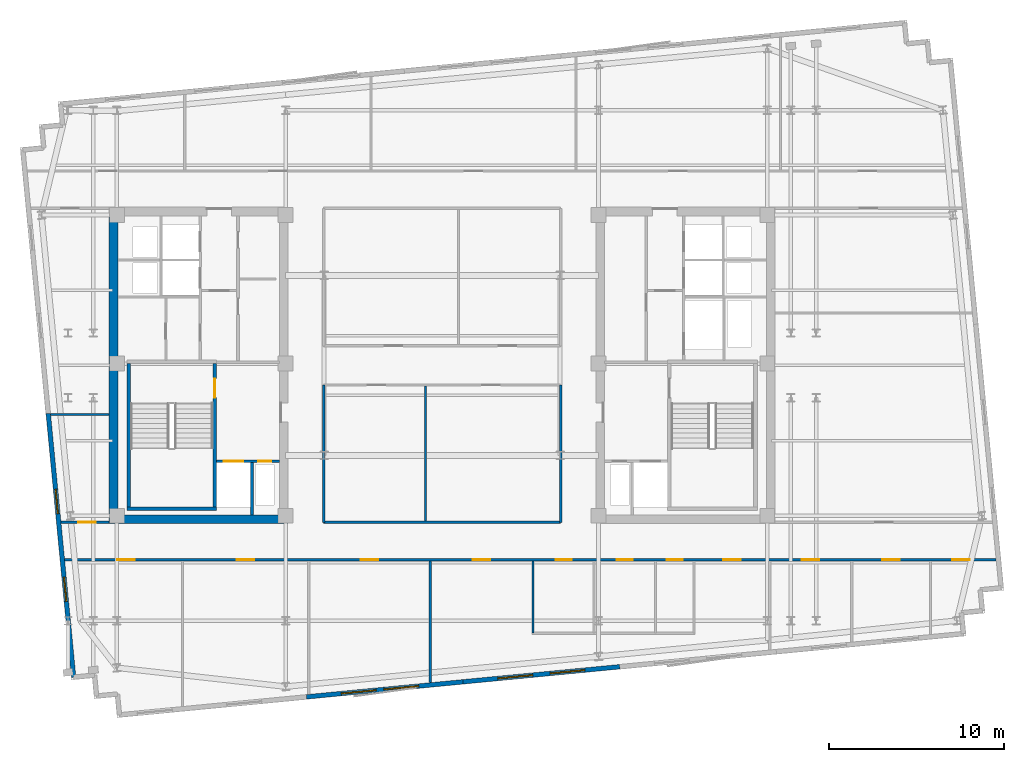
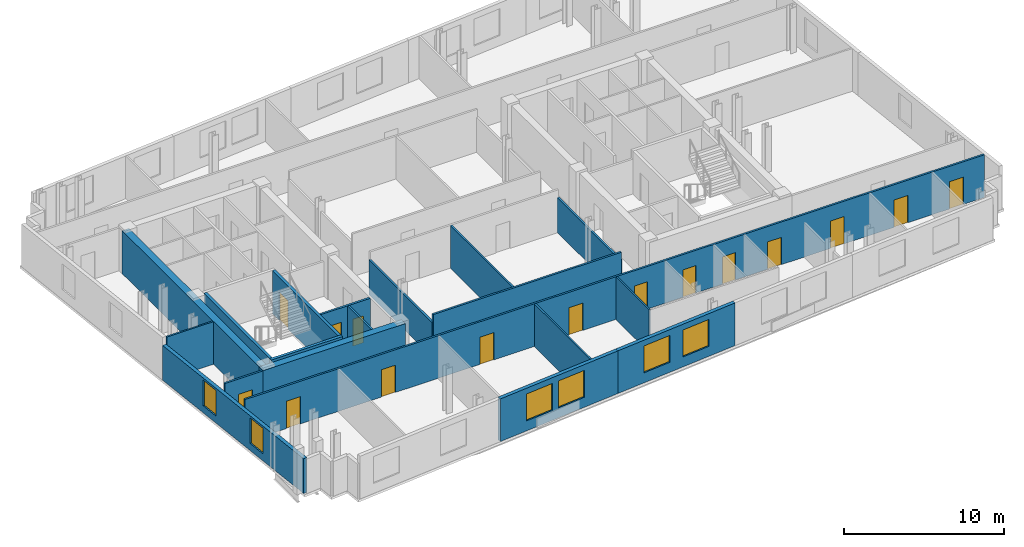
# One storey, part 3 of 9: 19 walls, 15 doors, 6 windows, 21 openings.
"""IFC4 building model written with IfcOpenShell, lengths in metres."""

from ifc_helpers import new_model, si_unit, direction, frame, frame_2d, origin, place, context, subcontext, project, spatial, rectangle, extrude, material, layer, layer_set, type_object, element, fill, save


model = new_model("IFC4")

# Units and contexts
model_context = context("Model", 3, precision=1e-05, world=origin(), true_north=direction((0.0, 1.0)))
body_context = subcontext(model_context, "Body", "Model", "MODEL_VIEW")
ifc_project = project(units=[si_unit("LENGTHUNIT", "METRE"), si_unit("AREAUNIT", "SQUARE_METRE"), si_unit("VOLUMEUNIT", "CUBIC_METRE"), si_unit("PLANEANGLEUNIT", "RADIAN"), si_unit("MASSUNIT", "GRAM", prefix="KILO")], contexts=[model_context])

# Site, building, storey
site_placement = place(None, origin())
site = spatial("IfcSite", under=ifc_project, at=site_placement, CompositionType="ELEMENT")
building_placement = place(site_placement, origin())
building = spatial("IfcBuilding", under=site, at=building_placement, Name="Velakula Bourse", CompositionType="ELEMENT")
storey_placement = place(building_placement, frame((0.0, 0.0, 265.5)))
storey = spatial("IfcBuildingStorey", under=building, at=storey_placement, Name="L72", CompositionType="ELEMENT", Elevation=265.5)

# Wall, opening, door
ifc_material_1 = material(Name="Concrete M50 (fck 50 MPa)", Category="concrete")
ifc_layer_1 = layer(ifc_material_1, 0.2099609375, Name="Concrete M50 (fck 50 MPa)", Category="concrete")
ifc_layer_set_1 = layer_set([ifc_layer_1], Name="Concrete M50 (fck 50 MPa)")
wall_type_1 = type_object("IfcWallType", Name="WL-CORE-210", PredefinedType="SHEAR", material=ifc_layer_set_1)
wall_1_placement = place(storey_placement, frame((-12.9951171875, -8.10009765625, 0.0), z_axis=(0.0, 0.0, 1.0), x_axis=(0.0, 1.0, 0.0)))
wall_1 = element("IfcWall", 1, at=wall_1_placement, inside=storey, type_object=wall_type_1, Name="L72 Core W Stairwell Shear Wall IN", PredefinedType="SHEAR", context=body_context, shape_type="SweptSolid", body=[
    extrude(rectangle(XDim=8.2001953125, YDim=0.2099609375, at=frame_2d((4.10009765625, 0.0))), origin(), (0.0, 0.0, 1.0), 3.27001953125),
])
opening_1_placement = place(wall_1_placement, frame((6.25, 0.0, 0.0)))
opening_1 = element("IfcOpeningElement", 2, at=opening_1_placement, cuts=wall_1, Name="Opening D-STW1", PredefinedType="OPENING", context=body_context, shape_type="SweptSolid", body=[
    extrude(rectangle(XDim=1.10009765625, YDim=2.14990234375, at=frame_2d((0.550048828125, 1.074951171875))), frame((0.0, 0.114990234375, 0.0), z_axis=(0.0, -1.0, 0.0), x_axis=(1.0, 0.0, 0.0)), (0.0, 0.0, 1.0), 0.22998046875),
])
ifc_material_2 = material(Name="Galvanised painted hollow steel fire door", Category="steel")
door_type_1 = type_object("IfcDoorType", Name="DR-FD120-1100x2150", OperationType="NOTDEFINED", PredefinedType="DOOR", material=ifc_material_2)
door_1_placement = place(opening_1_placement, origin())
door_1 = element("IfcDoor", 3, at=door_1_placement, inside=storey, type_object=door_type_1, Name="L72 Stair ST-W1 Fire Door", OperationType="SINGLE_SWING_LEFT", OverallHeight=2.14990234375, OverallWidth=1.10009765625, PredefinedType="DOOR", context=body_context, shape_type="SweptSolid", body=[
    extrude(rectangle(XDim=1.10009765625, YDim=2.14990234375, at=frame_2d((0.550048828125, 1.074951171875))), frame((0.0, 0.02490234375, 0.0), z_axis=(0.0, -1.0, 0.0), x_axis=(1.0, 0.0, 0.0)), (0.0, 0.0, 1.0), 0.050048828125),
])
fill(opening_1, door_1)

# Walls
wall_2_placement = place(storey_placement, frame((-17.925048828125, -8.10009765625, 0.0), z_axis=(0.0, 0.0, 1.0), x_axis=(0.0, 1.0, 0.0)))
element("IfcWall", 4, at=wall_2_placement, inside=storey, type_object=wall_type_1, Name="L72 Core W Stairwell Shear Wall OUT", PredefinedType="SHEAR", context=body_context, shape_type="SweptSolid", body=[
    extrude(rectangle(XDim=8.2001953125, YDim=0.2099609375, at=frame_2d((4.10009765625, 0.0))), origin(), (0.0, 0.0, 1.0), 3.27001953125),
])
wall_3_placement = place(storey_placement, frame((-18.030029296875, -8.205078125, 0.0), z_axis=(0.0, 0.0, 1.0), x_axis=(1.0, 0.0, 0.0)))
element("IfcWall", 5, at=wall_3_placement, inside=storey, type_object=wall_type_1, Name="L72 Core W Stairwell Shear Wall S", PredefinedType="SHEAR", context=body_context, shape_type="SweptSolid", body=[
    extrude(rectangle(XDim=5.14013671875, YDim=0.2099609375, at=frame_2d((2.570068359375, 0.0))), origin(), (0.0, 0.0, 1.0), 3.27001953125),
])
ifc_layer_2 = layer(ifc_material_1, 0.5, Name="Concrete M50 (fck 50 MPa)", Category="concrete")
ifc_layer_set_2 = layer_set([ifc_layer_2], Name="Concrete M50 (fck 50 MPa)")
wall_type_2 = type_object("IfcWallType", Name="WL-CORE-500", PredefinedType="SHEAR", material=ifc_layer_set_2)
wall_4_placement = place(storey_placement, frame((-19.050048828125, -8.800048828125, 0.0), z_axis=(0.0, 0.0, 1.0), x_axis=(1.0, 0.0, 0.0)))
element("IfcWall", 6, at=wall_4_placement, inside=storey, type_object=wall_type_2, Name="L72 Core W Shear Wall S", PredefinedType="SHEAR", context=body_context, shape_type="SweptSolid", body=[
    extrude(rectangle(XDim=10.25, YDim=0.5, at=frame_2d((5.125, 0.0))), origin(), (0.0, 0.0, 1.0), 3.27001953125),
])
wall_5_placement = place(storey_placement, frame((-18.800048828125, -8.550048828125, 0.0), z_axis=(0.0, 0.0, 1.0), x_axis=(0.0, 1.0, 0.0)))
element("IfcWall", 7, at=wall_5_placement, inside=storey, type_object=wall_type_2, Name="L72 Core W Shear Wall W", PredefinedType="SHEAR", context=body_context, shape_type="SweptSolid", body=[
    extrude(rectangle(XDim=17.10009765625, YDim=0.5, at=frame_2d((8.550048828125, 0.0))), origin(), (0.0, 0.0, 1.0), 3.27001953125),
])

# Wall, openings, windows
ifc_material_3 = material(Name="Buff kilned clay facing brick masonry", Category="masonry")
ifc_layer_3 = layer(ifc_material_3, 0.260009765625, Name="Buff kilned clay facing brick masonry", Category="masonry")
ifc_layer_set_3 = layer_set([ifc_layer_3], Name="Buff kilned clay facing brick masonry")
wall_type_3 = type_object("IfcWallType", Name="WL-EXT-BRK-260", PredefinedType="STANDARD", material=ifc_layer_set_3)
wall_6_placement = place(storey_placement, frame((1.202880859375, -18.1005859375, 0.0), z_axis=(0.0, 0.0, 1.0), x_axis=(-0.995397043619, -0.095836973841, 0.0)))
wall_6 = element("IfcWall", 8, at=wall_6_placement, inside=storey, type_object=wall_type_3, Name="L72 S Brick Spandrel Wall B2", PredefinedType="STANDARD", context=body_context, shape_type="SweptSolid", body=[
    extrude(rectangle(XDim=9.000244140625, YDim=0.260009765625, at=frame_2d((4.5, 0.0))), origin(), (0.0, 0.0, 1.0), 3.25),
])
opening_2_placement = place(wall_6_placement, frame((2.550048828125, 0.0, 0.760009765625)))
opening_2 = element("IfcOpeningElement", 9, at=opening_2_placement, cuts=wall_6, Name="Opening W-05", PredefinedType="OPENING", context=body_context, shape_type="SweptSolid", body=[
    extrude(rectangle(XDim=2.0, YDim=2.050048828125, at=frame_2d((1.0, 1.02490234375))), frame((0.0, 0.139892578125, 0.0), z_axis=(0.0, -1.0, 0.0), x_axis=(1.0, 0.0, 0.0)), (0.0, 0.0, 1.0), 0.280029296875),
])
opening_3_placement = place(wall_6_placement, frame((5.0, 0.0, 0.760009765625)))
opening_3 = element("IfcOpeningElement", 10, at=opening_3_placement, cuts=wall_6, Name="Opening W-05", PredefinedType="OPENING", context=body_context, shape_type="SweptSolid", body=[
    extrude(rectangle(XDim=2.0, YDim=2.050048828125, at=frame_2d((1.0, 1.02490234375))), frame((0.0, 0.139892578125, 0.0), z_axis=(0.0, -1.0, 0.0), x_axis=(1.0, 0.0, 0.0)), (0.0, 0.0, 1.0), 0.280029296875),
])
ifc_material_4 = material(Name="Double-glazed solar-control Low-E glass", Category="glass")
window_type_1 = type_object("IfcWindowType", Name="WIN-TWR-2000x2200", PartitioningType="DOUBLE_PANEL_VERTICAL", PredefinedType="WINDOW", material=ifc_material_4)
window_1_placement = place(opening_2_placement, origin())
window_1 = element("IfcWindow", 11, at=window_1_placement, inside=storey, type_object=window_type_1, Name="L72 Deep-Set Recessed Window 1", OverallHeight=2.050048828125, OverallWidth=2.0, PartitioningType="DOUBLE_PANEL_VERTICAL", PredefinedType="WINDOW", context=body_context, shape_type="SweptSolid", body=[
    extrude(rectangle(XDim=2.0, YDim=2.050048828125, at=frame_2d((1.0, 1.02490234375))), frame((0.0, 0.030029296875, 0.0), z_axis=(0.0, -1.0, 0.0), x_axis=(1.0, 0.0, 0.0)), (0.0, 0.0, 1.0), 0.06005859375),
])
fill(opening_2, window_1)
window_2_placement = place(opening_3_placement, origin())
window_2 = element("IfcWindow", 12, at=window_2_placement, inside=storey, type_object=window_type_1, Name="L72 Deep-Set Recessed Window 2", OverallHeight=2.050048828125, OverallWidth=2.0, PartitioningType="DOUBLE_PANEL_VERTICAL", PredefinedType="WINDOW", context=body_context, shape_type="SweptSolid", body=[
    extrude(rectangle(XDim=2.0, YDim=2.050048828125, at=frame_2d((1.0, 1.02490234375))), frame((0.0, 0.030029296875, 0.0), z_axis=(0.0, -1.0, 0.0), x_axis=(1.0, 0.0, 0.0)), (0.0, 0.0, 1.0), 0.06005859375),
])
fill(opening_3, window_2)

wall_7_placement = place(storey_placement, frame((10.161376953125, -17.23779296875, 0.0), z_axis=(0.0, 0.0, 1.0), x_axis=(-0.995394206237, -0.095866439332, 0.0)))
wall_7 = element("IfcWall", 13, at=wall_7_placement, inside=storey, type_object=wall_type_3, Name="L72 S Brick Spandrel Wall B3", PredefinedType="STANDARD", context=body_context, shape_type="SweptSolid", body=[
    extrude(rectangle(XDim=9.0, YDim=0.260009765625, at=frame_2d((4.5, 0.0))), origin(), (0.0, 0.0, 1.0), 3.25),
])
opening_4_placement = place(wall_7_placement, frame((2.0, 0.0, 0.760009765625)))
opening_4 = element("IfcOpeningElement", 14, at=opening_4_placement, cuts=wall_7, Name="Opening W-05", PredefinedType="OPENING", context=body_context, shape_type="SweptSolid", body=[
    extrude(rectangle(XDim=2.0, YDim=2.050048828125, at=frame_2d((1.0, 1.02490234375))), frame((0.0, 0.139892578125, 0.0), z_axis=(0.0, -1.0, 0.0), x_axis=(1.0, 0.0, 0.0)), (0.0, 0.0, 1.0), 0.280029296875),
])
opening_5_placement = place(wall_7_placement, frame((5.0, 0.0, 0.760009765625)))
opening_5 = element("IfcOpeningElement", 15, at=opening_5_placement, cuts=wall_7, Name="Opening W-05", PredefinedType="OPENING", context=body_context, shape_type="SweptSolid", body=[
    extrude(rectangle(XDim=2.0, YDim=2.050048828125, at=frame_2d((1.0, 1.02490234375))), frame((0.0, 0.139892578125, 0.0), z_axis=(0.0, -1.0, 0.0), x_axis=(1.0, 0.0, 0.0)), (0.0, 0.0, 1.0), 0.280029296875),
])
window_3_placement = place(opening_4_placement, origin())
window_3 = element("IfcWindow", 16, at=window_3_placement, inside=storey, type_object=window_type_1, Name="L72 Deep-Set Recessed Window 1", OverallHeight=2.050048828125, OverallWidth=2.0, PartitioningType="DOUBLE_PANEL_VERTICAL", PredefinedType="WINDOW", context=body_context, shape_type="SweptSolid", body=[
    extrude(rectangle(XDim=2.0, YDim=2.050048828125, at=frame_2d((1.0, 1.02490234375))), frame((0.0, 0.030029296875, 0.0), z_axis=(0.0, -1.0, 0.0), x_axis=(1.0, 0.0, 0.0)), (0.0, 0.0, 1.0), 0.06005859375),
])
fill(opening_4, window_3)
window_4_placement = place(opening_5_placement, origin())
window_4 = element("IfcWindow", 17, at=window_4_placement, inside=storey, type_object=window_type_1, Name="L72 Deep-Set Recessed Window 2", OverallHeight=2.050048828125, OverallWidth=2.0, PartitioningType="DOUBLE_PANEL_VERTICAL", PredefinedType="WINDOW", context=body_context, shape_type="SweptSolid", body=[
    extrude(rectangle(XDim=2.0, YDim=2.050048828125, at=frame_2d((1.0, 1.02490234375))), frame((0.0, 0.030029296875, 0.0), z_axis=(0.0, -1.0, 0.0), x_axis=(1.0, 0.0, 0.0)), (0.0, 0.0, 1.0), 0.06005859375),
])
fill(opening_5, window_4)

wall_8_placement = place(storey_placement, frame((-21.0751953125, -17.83447265625, 0.0), z_axis=(0.0, 0.0, 1.0), x_axis=(-0.095852427869, 0.995395555582, 0.0)))
wall_8 = element("IfcWall", 18, at=wall_8_placement, inside=storey, type_object=wall_type_3, Name="L72 W Brick End Wall W1", PredefinedType="STANDARD", context=body_context, shape_type="SweptSolid", body=[
    extrude(rectangle(XDim=15.14990234375, YDim=0.260009765625, at=frame_2d((7.574951171875, 0.0))), origin(), (0.0, 0.0, 1.0), 2.64501953125),
])
opening_6_placement = place(wall_8_placement, frame((4.35009765625, 0.0, 0.534912109375)))
opening_6 = element("IfcOpeningElement", 19, at=opening_6_placement, cuts=wall_8, Name="Opening W-03", PredefinedType="OPENING", context=body_context, shape_type="SweptSolid", body=[
    extrude(rectangle(XDim=1.39990234375, YDim=1.949951171875, at=frame_2d((0.699951171875, 0.97509765625))), frame((0.0, 0.139892578125, 0.0), z_axis=(0.0, -1.0, 0.0), x_axis=(1.0, 0.0, 0.0)), (0.0, 0.0, 1.0), 0.280029296875),
])
opening_7_placement = place(wall_8_placement, frame((9.39990234375, 0.0, 0.534912109375)))
opening_7 = element("IfcOpeningElement", 20, at=opening_7_placement, cuts=wall_8, Name="Opening W-03", PredefinedType="OPENING", context=body_context, shape_type="SweptSolid", body=[
    extrude(rectangle(XDim=1.39990234375, YDim=1.949951171875, at=frame_2d((0.699951171875, 0.97509765625))), frame((0.0, 0.139892578125, 0.0), z_axis=(0.0, -1.0, 0.0), x_axis=(1.0, 0.0, 0.0)), (0.0, 0.0, 1.0), 0.280029296875),
])
window_type_2 = type_object("IfcWindowType", Name="WIN-TWR-1400x2100", PartitioningType="SINGLE_PANEL", PredefinedType="WINDOW", material=ifc_material_4)
window_5_placement = place(opening_6_placement, origin())
window_5 = element("IfcWindow", 21, at=window_5_placement, inside=storey, type_object=window_type_2, Name="L72 Deep-Set Recessed Window 1", OverallHeight=1.949951171875, OverallWidth=1.39990234375, PartitioningType="SINGLE_PANEL", PredefinedType="WINDOW", context=body_context, shape_type="SweptSolid", body=[
    extrude(rectangle(XDim=1.39990234375, YDim=1.949951171875, at=frame_2d((0.699951171875, 0.97509765625))), frame((0.0, 0.030029296875, 0.0), z_axis=(0.0, -1.0, 0.0), x_axis=(1.0, 0.0, 0.0)), (0.0, 0.0, 1.0), 0.06005859375),
])
fill(opening_6, window_5)
window_6_placement = place(opening_7_placement, origin())
window_6 = element("IfcWindow", 22, at=window_6_placement, inside=storey, type_object=window_type_2, Name="L72 Deep-Set Recessed Window 2", OverallHeight=1.949951171875, OverallWidth=1.39990234375, PartitioningType="SINGLE_PANEL", PredefinedType="WINDOW", context=body_context, shape_type="SweptSolid", body=[
    extrude(rectangle(XDim=1.39990234375, YDim=1.949951171875, at=frame_2d((0.699951171875, 0.97509765625))), frame((0.0, 0.030029296875, 0.0), z_axis=(0.0, -1.0, 0.0), x_axis=(1.0, 0.0, 0.0)), (0.0, 0.0, 1.0), 0.06005859375),
])
fill(opening_7, window_6)

# Walls
ifc_material_5 = material(Name="Fire-rated double-layer gypsum drywall partition", Category="gypsum")
ifc_layer_4 = layer(ifc_material_5, 0.1201171875, Name="Fire-rated double-layer gypsum drywall partition", Category="gypsum")
ifc_layer_set_4 = layer_set([ifc_layer_4], Name="Fire-rated double-layer gypsum drywall partition")
wall_type_4 = type_object("IfcWallType", Name="WL-PART-120", PredefinedType="STANDARD", material=ifc_layer_set_4)
wall_9_placement = place(storey_placement, frame((5.199951171875, -15.320068359375, 0.0), z_axis=(0.0, 0.0, 1.0), x_axis=(0.0, 1.0, 0.0)))
element("IfcWall", 23, at=wall_9_placement, inside=storey, type_object=wall_type_4, Name="L72 Interior Partition WL-WC-L72-V1", PredefinedType="STANDARD", context=body_context, shape_type="SweptSolid", body=[
    extrude(rectangle(XDim=4.130126953125, YDim=0.1201171875, at=frame_2d((2.06494140625, 0.0))), origin(), (0.0, 0.0, 1.0), 3.25),
])
wall_10_placement = place(storey_placement, frame((-0.678955078125, -18.151123046875, 0.0), z_axis=(0.0, 0.0, 1.0), x_axis=(0.0, 1.0, 0.0)))
element("IfcWall", 24, at=wall_10_placement, inside=storey, type_object=wall_type_4, Name="L72 Interior Partition WL-INT-L72-SL-D7", PredefinedType="STANDARD", context=body_context, shape_type="SweptSolid", body=[
    extrude(rectangle(XDim=6.961181640625, YDim=0.1201171875, at=frame_2d((3.48046875, 0.0))), origin(), (0.0, 0.0, 1.0), 3.25),
])
wall_11_placement = place(storey_placement, frame((-22.392333984375, -2.800048828125, 0.0), z_axis=(0.0, 0.0, 1.0), x_axis=(1.0, 0.0, 0.0)))
element("IfcWall", 25, at=wall_11_placement, inside=storey, type_object=wall_type_4, Name="L72 Interior Partition WL-INT-L72-W-H", PredefinedType="STANDARD", context=body_context, shape_type="SweptSolid", body=[
    extrude(rectangle(XDim=3.34228515625, YDim=0.1201171875, at=frame_2d((1.671142578125, 0.0))), origin(), (0.0, 0.0, 1.0), 3.25),
])

# Wall, openings, doors
ifc_layer_5 = layer(ifc_material_5, 0.139892578125, Name="Fire-rated double-layer gypsum drywall partition", Category="gypsum")
ifc_layer_set_5 = layer_set([ifc_layer_5], Name="Fire-rated double-layer gypsum drywall partition")
wall_type_5 = type_object("IfcWallType", Name="WL-PART-140", PredefinedType="STANDARD", material=ifc_layer_set_5)
wall_12_placement = place(storey_placement, frame((-21.59130859375, -11.1201171875, 0.0), z_axis=(0.0, 0.0, 1.0), x_axis=(1.0, 0.0, 0.0)))
wall_12 = element("IfcWall", 26, at=wall_12_placement, inside=storey, type_object=wall_type_5, Name="L72 Interior Partition WL-INT-L72-S-CORR", PredefinedType="STANDARD", context=body_context, shape_type="SweptSolid", body=[
    extrude(rectangle(XDim=53.285400390625, YDim=0.139892578125, at=frame_2d((26.642578125, 0.0))), origin(), (0.0, 0.0, 1.0), 3.25),
])
opening_8_placement = place(wall_12_placement, frame((28.081298828125, 0.0, 0.0)))
opening_8 = element("IfcOpeningElement", 27, at=opening_8_placement, cuts=wall_12, Name="Opening D-WT1", PredefinedType="OPENING", context=body_context, shape_type="SweptSolid", body=[
    extrude(rectangle(XDim=0.919921875, YDim=2.080078125, at=frame_2d((0.4599609375, 1.0400390625))), frame((0.0, 0.079833984375, 0.0), z_axis=(0.0, -1.0, 0.0), x_axis=(1.0, 0.0, 0.0)), (0.0, 0.0, 1.0), 0.159912109375),
])
opening_9_placement = place(wall_12_placement, frame((31.581298828125, 0.0, 0.0)))
opening_9 = element("IfcOpeningElement", 28, at=opening_9_placement, cuts=wall_12, Name="Opening D-WT1", PredefinedType="OPENING", context=body_context, shape_type="SweptSolid", body=[
    extrude(rectangle(XDim=0.919921875, YDim=2.080078125, at=frame_2d((0.4599609375, 1.0400390625))), frame((0.0, 0.079833984375, 0.0), z_axis=(0.0, -1.0, 0.0), x_axis=(1.0, 0.0, 0.0)), (0.0, 0.0, 1.0), 0.159912109375),
])
opening_10_placement = place(wall_12_placement, frame((34.43115234375, 0.0, 0.0)))
opening_10 = element("IfcOpeningElement", 29, at=opening_10_placement, cuts=wall_12, Name="Opening D-WC1", PredefinedType="OPENING", context=body_context, shape_type="SweptSolid", body=[
    extrude(rectangle(XDim=0.919921875, YDim=2.080078125, at=frame_2d((0.4599609375, 1.0400390625))), frame((0.0, 0.079833984375, 0.0), z_axis=(0.0, -1.0, 0.0), x_axis=(1.0, 0.0, 0.0)), (0.0, 0.0, 1.0), 0.159912109375),
])
opening_11_placement = place(wall_12_placement, frame((3.0, 0.0, 0.0)))
opening_11 = element("IfcOpeningElement", 30, at=opening_11_placement, cuts=wall_12, Name="Opening D-OF1", PredefinedType="OPENING", context=body_context, shape_type="SweptSolid", body=[
    extrude(rectangle(XDim=1.0, YDim=2.080078125, at=frame_2d((0.5, 1.0400390625))), frame((0.0, 0.079833984375, 0.0), z_axis=(0.0, -1.0, 0.0), x_axis=(1.0, 0.0, 0.0)), (0.0, 0.0, 1.0), 0.159912109375),
])
opening_12_placement = place(wall_12_placement, frame((9.855712890625, 0.0, 0.0)))
opening_12 = element("IfcOpeningElement", 31, at=opening_12_placement, cuts=wall_12, Name="Opening D-OF1", PredefinedType="OPENING", context=body_context, shape_type="SweptSolid", body=[
    extrude(rectangle(XDim=1.0, YDim=2.080078125, at=frame_2d((0.5, 1.0400390625))), frame((0.0, 0.079833984375, 0.0), z_axis=(0.0, -1.0, 0.0), x_axis=(1.0, 0.0, 0.0)), (0.0, 0.0, 1.0), 0.159912109375),
])
opening_13_placement = place(wall_12_placement, frame((16.937744140625, 0.0, 0.0)))
opening_13 = element("IfcOpeningElement", 32, at=opening_13_placement, cuts=wall_12, Name="Opening D-OF1", PredefinedType="OPENING", context=body_context, shape_type="SweptSolid", body=[
    extrude(rectangle(XDim=1.0, YDim=2.080078125, at=frame_2d((0.5, 1.0400390625))), frame((0.0, 0.079833984375, 0.0), z_axis=(0.0, -1.0, 0.0), x_axis=(1.0, 0.0, 0.0)), (0.0, 0.0, 1.0), 0.159912109375),
])
opening_14_placement = place(wall_12_placement, frame((23.351806640625, 0.0, 0.0)))
opening_14 = element("IfcOpeningElement", 33, at=opening_14_placement, cuts=wall_12, Name="Opening D-OF1", PredefinedType="OPENING", context=body_context, shape_type="SweptSolid", body=[
    extrude(rectangle(XDim=1.0, YDim=2.080078125, at=frame_2d((0.5, 1.0400390625))), frame((0.0, 0.079833984375, 0.0), z_axis=(0.0, -1.0, 0.0), x_axis=(1.0, 0.0, 0.0)), (0.0, 0.0, 1.0), 0.159912109375),
])
opening_15_placement = place(wall_12_placement, frame((37.66259765625, 0.0, 0.0)))
opening_15 = element("IfcOpeningElement", 34, at=opening_15_placement, cuts=wall_12, Name="Opening D-OF1", PredefinedType="OPENING", context=body_context, shape_type="SweptSolid", body=[
    extrude(rectangle(XDim=1.0, YDim=2.080078125, at=frame_2d((0.5, 1.0400390625))), frame((0.0, 0.079833984375, 0.0), z_axis=(0.0, -1.0, 0.0), x_axis=(1.0, 0.0, 0.0)), (0.0, 0.0, 1.0), 0.159912109375),
])
opening_16_placement = place(wall_12_placement, frame((42.17919921875, 0.0, 0.0)))
opening_16 = element("IfcOpeningElement", 35, at=opening_16_placement, cuts=wall_12, Name="Opening D-OF1", PredefinedType="OPENING", context=body_context, shape_type="SweptSolid", body=[
    extrude(rectangle(XDim=1.0, YDim=2.080078125, at=frame_2d((0.5, 1.0400390625))), frame((0.0, 0.079833984375, 0.0), z_axis=(0.0, -1.0, 0.0), x_axis=(1.0, 0.0, 0.0)), (0.0, 0.0, 1.0), 0.159912109375),
])
opening_17_placement = place(wall_12_placement, frame((46.78271484375, 0.0, 0.0)))
opening_17 = element("IfcOpeningElement", 36, at=opening_17_placement, cuts=wall_12, Name="Opening D-OF1", PredefinedType="OPENING", context=body_context, shape_type="SweptSolid", body=[
    extrude(rectangle(XDim=1.0, YDim=2.080078125, at=frame_2d((0.5, 1.0400390625))), frame((0.0, 0.079833984375, 0.0), z_axis=(0.0, -1.0, 0.0), x_axis=(1.0, 0.0, 0.0)), (0.0, 0.0, 1.0), 0.159912109375),
])
opening_18_placement = place(wall_12_placement, frame((50.787109375, 0.0, 0.0)))
opening_18 = element("IfcOpeningElement", 37, at=opening_18_placement, cuts=wall_12, Name="Opening D-OF1", PredefinedType="OPENING", context=body_context, shape_type="SweptSolid", body=[
    extrude(rectangle(XDim=1.0, YDim=2.080078125, at=frame_2d((0.5, 1.0400390625))), frame((0.0, 0.079833984375, 0.0), z_axis=(0.0, -1.0, 0.0), x_axis=(1.0, 0.0, 0.0)), (0.0, 0.0, 1.0), 0.159912109375),
])
ifc_material_6 = material(Name="Fire-rated hardwood flush architectural door", Category="wood")
door_type_2 = type_object("IfcDoorType", Name="DR-OFF-1000", OperationType="NOTDEFINED", PredefinedType="DOOR", material=ifc_material_6)
door_2_placement = place(opening_11_placement, origin())
door_2 = element("IfcDoor", 38, at=door_2_placement, inside=storey, type_object=door_type_2, Name="L72 Members Dining Lounge Door", OperationType="SINGLE_SWING_LEFT", OverallHeight=2.080078125, OverallWidth=1.0, PredefinedType="DOOR", context=body_context, shape_type="SweptSolid", body=[
    extrude(rectangle(XDim=1.0, YDim=2.080078125, at=frame_2d((0.5, 1.0400390625))), frame((0.0, 0.02490234375, 0.0), z_axis=(0.0, -1.0, 0.0), x_axis=(1.0, 0.0, 0.0)), (0.0, 0.0, 1.0), 0.050048828125),
])
fill(opening_11, door_2)
door_3_placement = place(opening_12_placement, origin())
door_3 = element("IfcDoor", 39, at=door_3_placement, inside=storey, type_object=door_type_2, Name="L72 Asset Allocation Office Door", OperationType="SINGLE_SWING_RIGHT", OverallHeight=2.080078125, OverallWidth=1.0, PredefinedType="DOOR", context=body_context, shape_type="SweptSolid", body=[
    extrude(rectangle(XDim=1.0, YDim=2.080078125, at=frame_2d((0.5, 1.0400390625))), frame((0.0, 0.02490234375, 0.0), z_axis=(0.0, -1.0, 0.0), x_axis=(1.0, 0.0, 0.0)), (0.0, 0.0, 1.0), 0.050048828125),
])
fill(opening_12, door_3)
door_4_placement = place(opening_13_placement, origin())
door_4 = element("IfcDoor", 40, at=door_4_placement, inside=storey, type_object=door_type_2, Name="L72 Listing Committee Chamber Door", OperationType="SINGLE_SWING_LEFT", OverallHeight=2.080078125, OverallWidth=1.0, PredefinedType="DOOR", context=body_context, shape_type="SweptSolid", body=[
    extrude(rectangle(XDim=1.0, YDim=2.080078125, at=frame_2d((0.5, 1.0400390625))), frame((0.0, 0.02490234375, 0.0), z_axis=(0.0, -1.0, 0.0), x_axis=(1.0, 0.0, 0.0)), (0.0, 0.0, 1.0), 0.050048828125),
])
fill(opening_13, door_4)
door_5_placement = place(opening_14_placement, origin())
door_5 = element("IfcDoor", 41, at=door_5_placement, inside=storey, type_object=door_type_2, Name="L72 Traders Pantry Door", OperationType="SINGLE_SWING_RIGHT", OverallHeight=2.080078125, OverallWidth=1.0, PredefinedType="DOOR", context=body_context, shape_type="SweptSolid", body=[
    extrude(rectangle(XDim=1.0, YDim=2.080078125, at=frame_2d((0.5, 1.0400390625))), frame((0.0, 0.02490234375, 0.0), z_axis=(0.0, -1.0, 0.0), x_axis=(1.0, 0.0, 0.0)), (0.0, 0.0, 1.0), 0.050048828125),
])
fill(opening_14, door_5)
door_6_placement = place(opening_15_placement, origin())
door_6 = element("IfcDoor", 42, at=door_6_placement, inside=storey, type_object=door_type_2, Name="L72 Prime-Brokerage Dealing Workspace Door", OperationType="SINGLE_SWING_LEFT", OverallHeight=2.080078125, OverallWidth=1.0, PredefinedType="DOOR", context=body_context, shape_type="SweptSolid", body=[
    extrude(rectangle(XDim=1.0, YDim=2.080078125, at=frame_2d((0.5, 1.0400390625))), frame((0.0, 0.02490234375, 0.0), z_axis=(0.0, -1.0, 0.0), x_axis=(1.0, 0.0, 0.0)), (0.0, 0.0, 1.0), 0.050048828125),
])
fill(opening_15, door_6)
door_7_placement = place(opening_16_placement, origin())
door_7 = element("IfcDoor", 43, at=door_7_placement, inside=storey, type_object=door_type_2, Name="L72 Company Secretary Office Door", OperationType="SINGLE_SWING_RIGHT", OverallHeight=2.080078125, OverallWidth=1.0, PredefinedType="DOOR", context=body_context, shape_type="SweptSolid", body=[
    extrude(rectangle(XDim=1.0, YDim=2.080078125, at=frame_2d((0.5, 1.0400390625))), frame((0.0, 0.02490234375, 0.0), z_axis=(0.0, -1.0, 0.0), x_axis=(1.0, 0.0, 0.0)), (0.0, 0.0, 1.0), 0.050048828125),
])
fill(opening_16, door_7)
door_8_placement = place(opening_17_placement, origin())
door_8 = element("IfcDoor", 44, at=door_8_placement, inside=storey, type_object=door_type_2, Name="L72 Members Dining Lounge Door", OperationType="SINGLE_SWING_LEFT", OverallHeight=2.080078125, OverallWidth=1.0, PredefinedType="DOOR", context=body_context, shape_type="SweptSolid", body=[
    extrude(rectangle(XDim=1.0, YDim=2.080078125, at=frame_2d((0.5, 1.0400390625))), frame((0.0, 0.02490234375, 0.0), z_axis=(0.0, -1.0, 0.0), x_axis=(1.0, 0.0, 0.0)), (0.0, 0.0, 1.0), 0.050048828125),
])
fill(opening_17, door_8)
door_9_placement = place(opening_18_placement, origin())
door_9 = element("IfcDoor", 45, at=door_9_placement, inside=storey, type_object=door_type_2, Name="L72 Asset Allocation Office Door", OperationType="SINGLE_SWING_RIGHT", OverallHeight=2.080078125, OverallWidth=1.0, PredefinedType="DOOR", context=body_context, shape_type="SweptSolid", body=[
    extrude(rectangle(XDim=1.0, YDim=2.080078125, at=frame_2d((0.5, 1.0400390625))), frame((0.0, 0.02490234375, 0.0), z_axis=(0.0, -1.0, 0.0), x_axis=(1.0, 0.0, 0.0)), (0.0, 0.0, 1.0), 0.050048828125),
])
fill(opening_18, door_9)
door_type_3 = type_object("IfcDoorType", Name="DR-WC-950", OperationType="NOTDEFINED", PredefinedType="DOOR", material=ifc_material_6)
door_10_placement = place(opening_8_placement, origin())
door_10 = element("IfcDoor", 46, at=door_10_placement, inside=storey, type_object=door_type_3, Name="L72 Male Staff Toilet Door", OperationType="SINGLE_SWING_RIGHT", OverallHeight=2.080078125, OverallWidth=0.919921875, PredefinedType="DOOR", context=body_context, shape_type="SweptSolid", body=[
    extrude(rectangle(XDim=0.919921875, YDim=2.080078125, at=frame_2d((0.4599609375, 1.0400390625))), frame((0.0, 0.02490234375, 0.0), z_axis=(0.0, -1.0, 0.0), x_axis=(1.0, 0.0, 0.0)), (0.0, 0.0, 1.0), 0.050048828125),
])
fill(opening_8, door_10)
door_11_placement = place(opening_9_placement, origin())
door_11 = element("IfcDoor", 47, at=door_11_placement, inside=storey, type_object=door_type_3, Name="L72 Female Staff Toilet Door", OperationType="SINGLE_SWING_LEFT", OverallHeight=2.080078125, OverallWidth=0.919921875, PredefinedType="DOOR", context=body_context, shape_type="SweptSolid", body=[
    extrude(rectangle(XDim=0.919921875, YDim=2.080078125, at=frame_2d((0.4599609375, 1.0400390625))), frame((0.0, 0.02490234375, 0.0), z_axis=(0.0, -1.0, 0.0), x_axis=(1.0, 0.0, 0.0)), (0.0, 0.0, 1.0), 0.050048828125),
])
fill(opening_9, door_11)
door_12_placement = place(opening_10_placement, origin())
door_12 = element("IfcDoor", 48, at=door_12_placement, inside=storey, type_object=door_type_3, Name="L72 Accessible WC Door", OperationType="SINGLE_SWING_RIGHT", OverallHeight=2.080078125, OverallWidth=0.919921875, PredefinedType="DOOR", context=body_context, shape_type="SweptSolid", body=[
    extrude(rectangle(XDim=0.919921875, YDim=2.080078125, at=frame_2d((0.4599609375, 1.0400390625))), frame((0.0, 0.02490234375, 0.0), z_axis=(0.0, -1.0, 0.0), x_axis=(1.0, 0.0, 0.0)), (0.0, 0.0, 1.0), 0.050048828125),
])
fill(opening_10, door_12)

# Wall, opening, door
wall_13_placement = place(storey_placement, frame((-21.797119140625, -8.97998046875, 0.0), z_axis=(0.0, 0.0, 1.0), x_axis=(1.0, 0.0, 0.0)))
wall_13 = element("IfcWall", 49, at=wall_13_placement, inside=storey, type_object=wall_type_5, Name="L72 Interior Partition WL-INT-L72-W-SC", PredefinedType="STANDARD", context=body_context, shape_type="SweptSolid", body=[
    extrude(rectangle(XDim=2.7470703125, YDim=0.139892578125, at=frame_2d((1.37353515625, 0.0))), origin(), (0.0, 0.0, 1.0), 3.25),
])
opening_19_placement = place(wall_13_placement, frame((0.984375, 0.0, 0.0)))
opening_19 = element("IfcOpeningElement", 50, at=opening_19_placement, cuts=wall_13, Name="Opening D-OF1", PredefinedType="OPENING", context=body_context, shape_type="SweptSolid", body=[
    extrude(rectangle(XDim=1.0, YDim=2.080078125, at=frame_2d((0.5, 1.0400390625))), frame((0.0, 0.079833984375, 0.0), z_axis=(0.0, -1.0, 0.0), x_axis=(1.0, 0.0, 0.0)), (0.0, 0.0, 1.0), 0.159912109375),
])
door_13_placement = place(opening_19_placement, origin())
door_13 = element("IfcDoor", 51, at=door_13_placement, inside=storey, type_object=door_type_2, Name="L72 Central Depository Workspace Door", OperationType="SINGLE_SWING_RIGHT", OverallHeight=2.080078125, OverallWidth=1.0, PredefinedType="DOOR", context=body_context, shape_type="SweptSolid", body=[
    extrude(rectangle(XDim=1.0, YDim=2.080078125, at=frame_2d((0.5, 1.0400390625))), frame((0.0, 0.02490234375, 0.0), z_axis=(0.0, -1.0, 0.0), x_axis=(1.0, 0.0, 0.0)), (0.0, 0.0, 1.0), 0.050048828125),
])
fill(opening_19, door_13)

# Walls
wall_14_placement = place(storey_placement, frame((-6.780029296875, -8.97998046875, 0.0), z_axis=(0.0, 0.0, 1.0), x_axis=(1.0, 0.0, 0.0)))
element("IfcWall", 52, at=wall_14_placement, inside=storey, type_object=wall_type_5, Name="L72 Interior Partition WL-INT-L72-MS-OUT", PredefinedType="STANDARD", context=body_context, shape_type="SweptSolid", body=[
    extrude(rectangle(XDim=13.56005859375, YDim=0.139892578125, at=frame_2d((6.780029296875, 0.0))), origin(), (0.0, 0.0, 1.0), 3.25),
])
for number, where, z_axis, x_axis, name in (
    (53, (-6.780029296875, -8.97998046875, 0.0), (0.0, 0.0, 1.0), (0.0, 1.0, 0.0), "L72 Interior Partition WL-INT-L72-MS-W"),
    (54, (6.780029296875, -8.97998046875, 0.0), (0.0, 0.0, 1.0), (0.0, 1.0, 0.0), "L72 Interior Partition WL-INT-L72-MS-E"),
):
    element("IfcWall", number, at=place(storey_placement, frame(where, z_axis=z_axis, x_axis=x_axis)), inside=storey, type_object=wall_type_5, Name=name, PredefinedType="STANDARD", context=body_context, shape_type="SweptSolid", body=[
        extrude(rectangle(XDim=7.85986328125, YDim=0.139892578125, at=frame_2d((3.929931640625, 0.0))), origin(), (0.0, 0.0, 1.0), 2.64501953125),
    ])
wall_15_placement = place(storey_placement, frame((-0.949951171875, -8.909912109375, 0.0), z_axis=(0.0, 0.0, 1.0), x_axis=(0.0, 1.0, 0.0)))
element("IfcWall", 55, at=wall_15_placement, inside=storey, type_object=wall_type_5, Name="L72 Interior Partition WL-INT-L72-MS-V1", PredefinedType="STANDARD", context=body_context, shape_type="SweptSolid", body=[
    extrude(rectangle(XDim=7.719970703125, YDim=0.1201171875, at=frame_2d((3.85986328125, 0.0))), origin(), (0.0, 0.0, 1.0), 3.25),
])

# Wall, openings, doors
ifc_material_7 = material(Name="Autoclaved aerated concrete blockwork masonry", Category="masonry")
ifc_layer_6 = layer(ifc_material_7, 0.14990234375, Name="Autoclaved aerated concrete blockwork masonry", Category="masonry")
ifc_layer_set_6 = layer_set([ifc_layer_6], Name="Autoclaved aerated concrete blockwork masonry")
wall_type_6 = type_object("IfcWallType", Name="WL-SHAFT-150", PredefinedType="STANDARD", material=ifc_layer_set_6)
wall_16_placement = place(storey_placement, frame((-12.89501953125, -5.47509765625, 0.0), z_axis=(0.0, 0.0, 1.0), x_axis=(1.0, 0.0, 0.0)))
wall_16 = element("IfcWall", 56, at=wall_16_placement, inside=storey, type_object=wall_type_6, Name="L72 Interior Partition WL-CRW-L72-FFL-N", PredefinedType="STANDARD", context=body_context, shape_type="SweptSolid", body=[
    extrude(rectangle(XDim=3.594970703125, YDim=0.14990234375, at=frame_2d((1.79736328125, 0.0))), origin(), (0.0, 0.0, 1.0), 3.25),
])
opening_20_placement = place(wall_16_placement, frame((0.419921875, 0.0, 0.0)))
opening_20 = element("IfcOpeningElement", 57, at=opening_20_placement, cuts=wall_16, Name="Opening LD-FFL-1", PredefinedType="OPENING", context=body_context, shape_type="SweptSolid", body=[
    extrude(rectangle(XDim=1.10009765625, YDim=2.14990234375, at=frame_2d((0.550048828125, 1.074951171875))), frame((0.0, 0.0849609375, 0.0), z_axis=(0.0, -1.0, 0.0), x_axis=(1.0, 0.0, 0.0)), (0.0, 0.0, 1.0), 0.169921875),
])
opening_21_placement = place(wall_16_placement, frame((2.3701171875, 0.0, 0.0)))
opening_21 = element("IfcOpeningElement", 58, at=opening_21_placement, cuts=wall_16, Name="Opening D-RS1", PredefinedType="OPENING", context=body_context, shape_type="SweptSolid", body=[
    extrude(rectangle(XDim=0.75, YDim=2.050048828125, at=frame_2d((0.375, 1.02490234375))), frame((0.0, 0.0849609375, 0.0), z_axis=(0.0, -1.0, 0.0), x_axis=(1.0, 0.0, 0.0)), (0.0, 0.0, 1.0), 0.169921875),
])
door_type_4 = type_object("IfcDoorType", Name="DR-RISER-800", OperationType="NOTDEFINED", PredefinedType="DOOR", material=ifc_material_2)
door_14_placement = place(opening_21_placement, origin())
door_14 = element("IfcDoor", 59, at=door_14_placement, inside=storey, type_object=door_type_4, Name="L72 Fire Riser Access Door", OperationType="SINGLE_SWING_LEFT", OverallHeight=2.050048828125, OverallWidth=0.75, PredefinedType="DOOR", context=body_context, shape_type="SweptSolid", body=[
    extrude(rectangle(XDim=0.75, YDim=2.050048828125, at=frame_2d((0.375, 1.02490234375))), frame((0.0, 0.02490234375, 0.0), z_axis=(0.0, -1.0, 0.0), x_axis=(1.0, 0.0, 0.0)), (0.0, 0.0, 1.0), 0.050048828125),
])
fill(opening_21, door_14)
ifc_material_8 = material(Name="Brushed grade 316 stainless steel", Category="steel")
door_type_5 = type_object("IfcDoorType", Name="DR-SLIDE-FFL-1100", OperationType="DOUBLE_DOOR_SLIDING", PredefinedType="DOOR", material=ifc_material_8)
door_15_placement = place(opening_20_placement, origin())
door_15 = element("IfcDoor", 60, at=door_15_placement, inside=storey, type_object=door_type_5, Name="L72 Firefighting Lift FFL-1 Sliding Landing Door", OperationType="DOUBLE_DOOR_SLIDING", OverallHeight=2.14990234375, OverallWidth=1.10009765625, PredefinedType="DOOR", context=body_context, shape_type="SweptSolid", body=[
    extrude(rectangle(XDim=1.10009765625, YDim=2.14990234375, at=frame_2d((0.550048828125, 1.074951171875))), frame((0.0, 0.02490234375, 0.0), z_axis=(0.0, -1.0, 0.0), x_axis=(1.0, 0.0, 0.0)), (0.0, 0.0, 1.0), 0.050048828125),
])
fill(opening_20, door_15)

# Wall
wall_17_placement = place(storey_placement, frame((-10.875, -8.550048828125, 0.0), z_axis=(0.0, 0.0, 1.0), x_axis=(0.0, 1.0, 0.0)))
element("IfcWall", 61, at=wall_17_placement, inside=storey, type_object=wall_type_6, Name="L72 Interior Partition WL-CRW-L72-FR-DIV", PredefinedType="STANDARD", context=body_context, shape_type="SweptSolid", body=[
    extrude(rectangle(XDim=3.0, YDim=0.14990234375, at=frame_2d((1.5, 0.0))), origin(), (0.0, 0.0, 1.0), 3.25),
])

save(model, "model.ifc")
